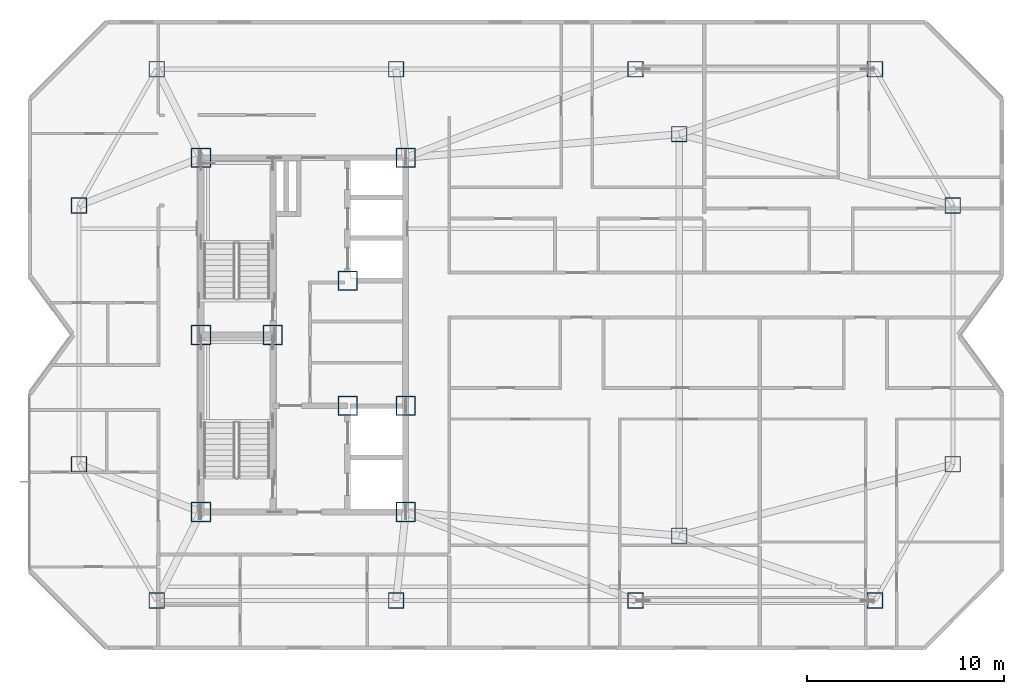
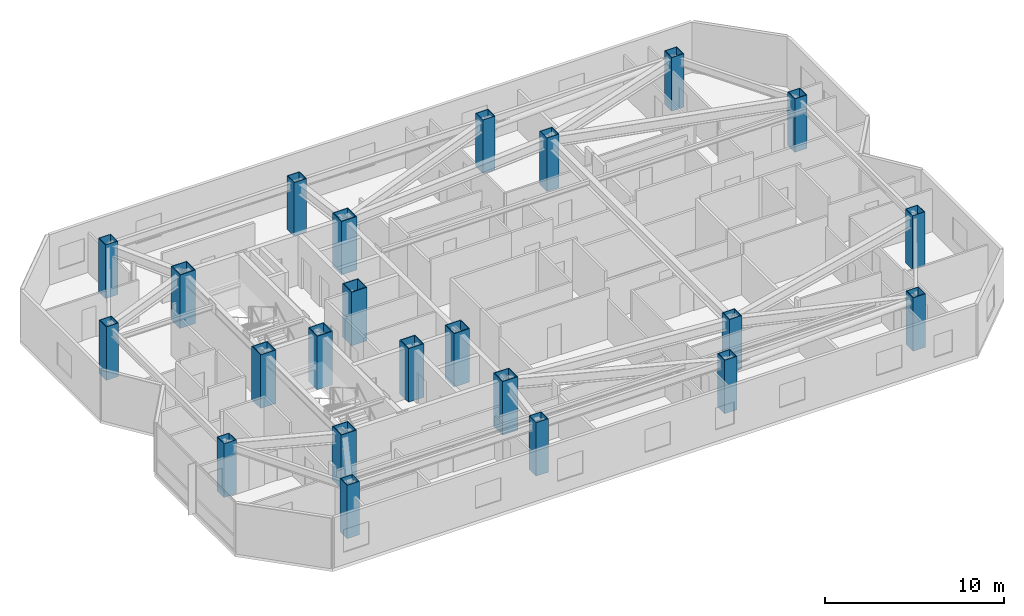
# One storey, part 1 of 14: 23 columns.
"""IFC4 building model written with IfcOpenShell, lengths in metres."""

from ifc_helpers import new_model, si_unit, direction, frame, origin, origin_2d, place, context, subcontext, project, spatial, hollow_rectangle, extrude, material, material_profile, profile_set, type_object, element, save


model = new_model("IFC4")

# Units and contexts
model_context = context("Model", 3, precision=1e-05, world=origin(), true_north=direction((0.0, 1.0)))
body_context = subcontext(model_context, "Body", "Model", "MODEL_VIEW")
ifc_project = project(units=[si_unit("LENGTHUNIT", "METRE"), si_unit("AREAUNIT", "SQUARE_METRE"), si_unit("VOLUMEUNIT", "CUBIC_METRE"), si_unit("PLANEANGLEUNIT", "RADIAN"), si_unit("MASSUNIT", "GRAM", prefix="KILO")], contexts=[model_context])

# Site, building, storey
site_placement = place(None, origin())
site = spatial("IfcSite", under=ifc_project, at=site_placement, CompositionType="ELEMENT")
building_placement = place(site_placement, origin())
building = spatial("IfcBuilding", under=site, at=building_placement, Name="Khamvora Tower", CompositionType="ELEMENT")
storey_placement = place(building_placement, frame((0.0, 0.0, 242.75)))
storey = spatial("IfcBuildingStorey", under=building, at=storey_placement, Name="L62", CompositionType="ELEMENT", Elevation=242.75)

# Columns
ifc_material_1 = material(Name="Steel S355", Category="steel")
ifc_material_profile_1 = material_profile(ifc_material_1, hollow_rectangle(XDim=0.800048828125, YDim=0.800048828125, WallThickness=0.0400390625, at=origin_2d()), Name="BOX800x800x40")
ifc_profile_set_1 = profile_set([ifc_material_profile_1], Name="Steel S355")
column_type_1 = type_object("IfcColumnType", Name="COL-BOX800", PredefinedType="COLUMN", material=ifc_profile_set_1)
for number, where, z_axis, x_axis, name in (
    (1, (26.75, 14.5, 0.0), (0.0, 0.0, 1.0), (1.0, 0.0, 0.0), "L62 structural frame column S1"),
    (2, (38.9169921875, 14.5, 0.0), (0.0, 0.0, 1.0), (1.0, 0.0, 0.0), "L62 structural frame column S2"),
    (3, (51.0830078125, 14.5, 0.0), (0.0, 0.0, 1.0), (1.0, 0.0, 0.0), "L62 structural frame column S3"),
    (4, (63.25, 14.5, 0.0), (0.0, 0.0, 1.0), (1.0, 0.0, 0.0), "L62 structural frame column S4"),
    (5, (26.75, 41.5, 0.0), (0.0, 0.0, 1.0), (1.0, 0.0, 0.0), "L62 structural frame column N1"),
    (6, (38.9169921875, 41.5, 0.0), (0.0, 0.0, 1.0), (1.0, 0.0, 0.0), "L62 structural frame column N2"),
    (7, (51.0830078125, 41.5, 0.0), (0.0, 0.0, 1.0), (1.0, 0.0, 0.0), "L62 structural frame column N3"),
    (8, (63.25, 41.5, 0.0), (0.0, 0.0, 1.0), (1.0, 0.0, 0.0), "L62 structural frame column N4"),
    (9, (22.800048828125, 21.425048828125, 0.0), (0.0, 0.0, 1.0), (1.0, 0.0, 0.0), "L62 structural frame column W1"),
    (10, (22.800048828125, 34.574951171875, 0.0), (0.0, 0.0, 1.0), (1.0, 0.0, 0.0), "L62 structural frame column W2"),
    (11, (67.199951171875, 21.425048828125, 0.0), (0.0, 0.0, 1.0), (1.0, 0.0, 0.0), "L62 structural frame column E1"),
    (12, (67.199951171875, 34.574951171875, 0.0), (0.0, 0.0, 1.0), (1.0, 0.0, 0.0), "L62 structural frame column E2"),
    (13, (53.300048828125, 17.800048828125, 0.0), (0.0, 0.0, 1.0), (1.0, 0.0, 0.0), "L62 structural frame column M1"),
    (14, (53.300048828125, 38.199951171875, 0.0), (0.0, 0.0, 1.0), (1.0, 0.0, 0.0), "L62 structural frame column M2"),
):
    element("IfcColumn", number, at=place(storey_placement, frame(where, z_axis=z_axis, x_axis=x_axis)), inside=storey, type_object=column_type_1, Name=name, PredefinedType="COLUMN", context=body_context, shape_type="SweptSolid", body=[
        extrude(hollow_rectangle(XDim=0.800048828125, YDim=0.800048828125, WallThickness=0.0400390625, at=origin_2d()), origin(), (0.0, 0.0, 1.0), 3.64990234375),
    ])
ifc_material_2 = material(Name="Structural Steel S460ML", Category="steel")
ifc_material_profile_2 = material_profile(ifc_material_2, hollow_rectangle(XDim=1.0, YDim=1.0, WallThickness=0.050048828125, at=origin_2d()), Name="BOX1000x1000x50")
ifc_profile_set_2 = profile_set([ifc_material_profile_2], Name="Structural Steel S460ML")
column_type_2 = type_object("IfcColumnType", Name="COL-SC-BOX1000", PredefinedType="COLUMN", material=ifc_profile_set_2)
for number, where, z_axis, x_axis, name in (
    (15, (29.0, 19.0, 0.0), (0.0, 0.0, 1.0), (1.0, 0.0, 0.0), "L62 plumb core spine column SC1"),
    (16, (32.64990234375, 28.0, 0.0), (0.0, 0.0, 1.0), (1.0, 0.0, 0.0), "L62 plumb core spine column SC2"),
    (17, (39.39990234375, 19.0, 0.0), (0.0, 0.0, 1.0), (1.0, 0.0, 0.0), "L62 plumb core spine column SC3"),
    (18, (29.0, 28.0, 0.0), (0.0, 0.0, 1.0), (1.0, 0.0, 0.0), "L62 plumb core spine column SC4"),
    (19, (36.449951171875, 24.39990234375, 0.0), (0.0, 0.0, 1.0), (1.0, 0.0, 0.0), "L62 plumb core spine column SC5"),
    (20, (39.39990234375, 24.39990234375, 0.0), (0.0, 0.0, 1.0), (1.0, 0.0, 0.0), "L62 plumb core spine column SC6"),
    (21, (29.0, 37.0, 0.0), (0.0, 0.0, 1.0), (1.0, 0.0, 0.0), "L62 plumb core spine column SC7"),
    (22, (36.449951171875, 30.75, 0.0), (0.0, 0.0, 1.0), (1.0, 0.0, 0.0), "L62 plumb core spine column SC8"),
    (23, (39.39990234375, 37.0, 0.0), (0.0, 0.0, 1.0), (1.0, 0.0, 0.0), "L62 plumb core spine column SC9"),
):
    element("IfcColumn", number, at=place(storey_placement, frame(where, z_axis=z_axis, x_axis=x_axis)), inside=storey, type_object=column_type_2, Name=name, PredefinedType="COLUMN", context=body_context, shape_type="SweptSolid", body=[
        extrude(hollow_rectangle(XDim=1.0, YDim=1.0, WallThickness=0.050048828125, at=origin_2d()), origin(), (0.0, 0.0, 1.0), 3.64990234375),
    ])

save(model, "model.ifc")
